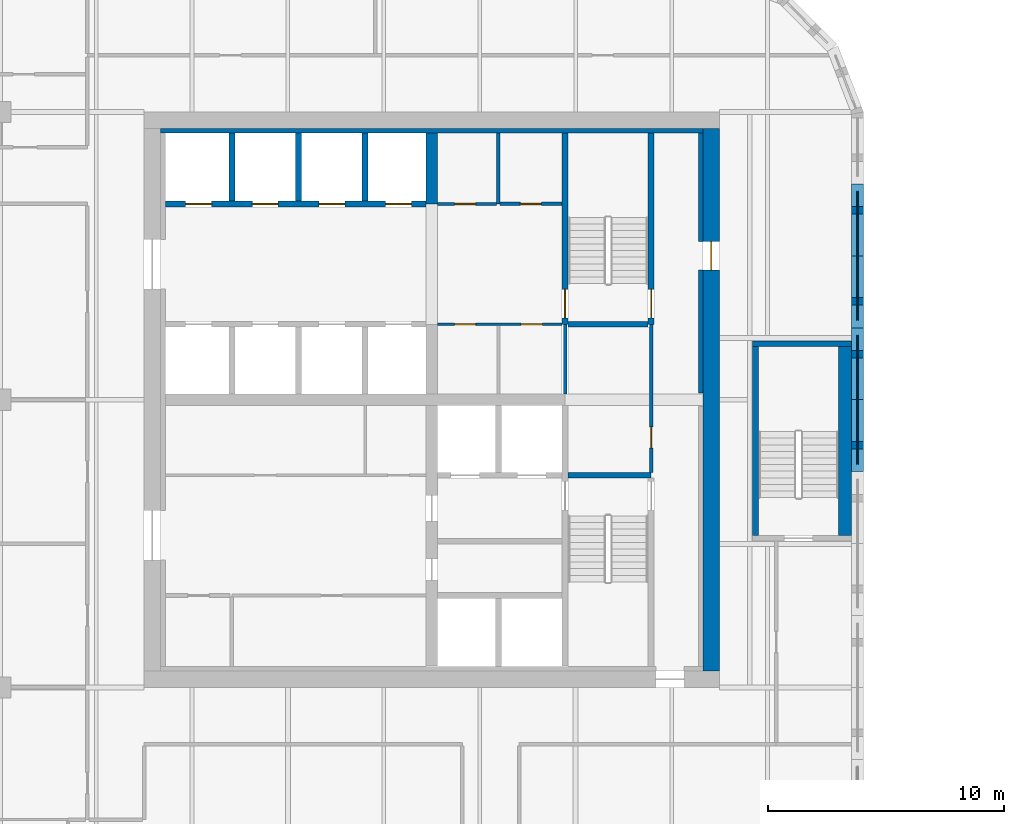
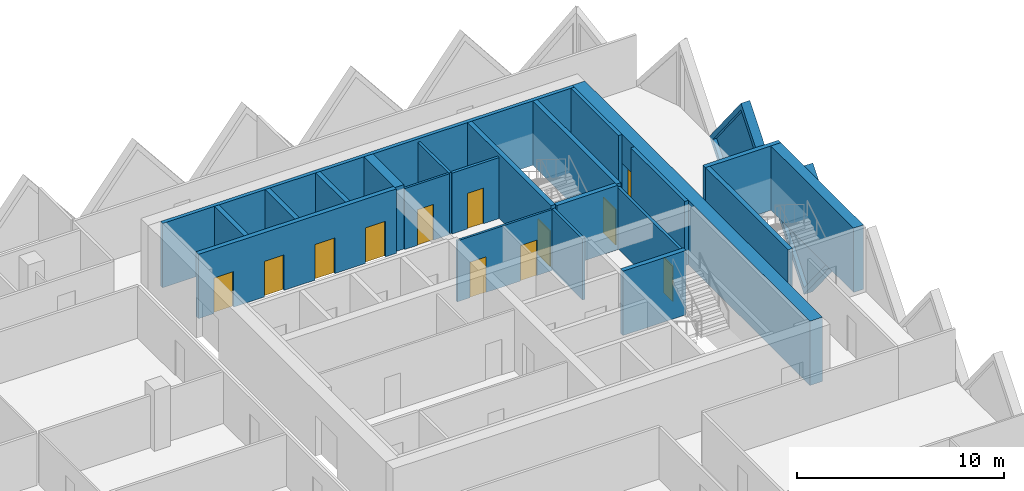
# One storey, part 9 of 13: 24 walls, 12 doors, 2 plates, 14 openings.
"""IFC4 building model written with IfcOpenShell, lengths in metres."""

from ifc_helpers import new_model, si_unit, direction, frame, frame_2d, origin, place, context, subcontext, project, spatial, polyline, rectangle, outline, extrude, faceted_brep, source, transform, mapped, material, layer, layer_set, type_object, element, fill, save


model = new_model("IFC4")

# Units and contexts
model_context = context("Model", 3, precision=1e-05, world=origin(), true_north=direction((0.0, 1.0)))
body_context = subcontext(model_context, "Body", "Model", "MODEL_VIEW")
ifc_project = project(units=[si_unit("LENGTHUNIT", "METRE"), si_unit("AREAUNIT", "SQUARE_METRE"), si_unit("VOLUMEUNIT", "CUBIC_METRE"), si_unit("PLANEANGLEUNIT", "RADIAN"), si_unit("MASSUNIT", "GRAM", prefix="KILO")], contexts=[model_context])

# Site, building, storey
site_placement = place(None, origin())
site = spatial("IfcSite", under=ifc_project, at=site_placement, CompositionType="ELEMENT")
building_placement = place(site_placement, origin())
building = spatial("IfcBuilding", under=site, at=building_placement, Name="Tessera Gate Towers", CompositionType="ELEMENT")
storey_placement = place(building_placement, frame((0.0, 0.0, 116.39990234375)))
storey = spatial("IfcBuildingStorey", under=building, at=storey_placement, Name="L28", CompositionType="ELEMENT", Elevation=116.39990234375)

# Wall, openings, doors
ifc_material_1 = material(Name="Concrete C40/50", Category="concrete")
ifc_layer_1 = layer(ifc_material_1, 0.25)
ifc_layer_set_1 = layer_set([ifc_layer_1], Name="CORE ENCLOSURE WALL 250")
wall_type_1 = type_object("IfcWallType", Name="CORE ENCLOSURE WALL 250", PredefinedType="SOLIDWALL", material=ifc_layer_set_1)
wall_1_placement = place(storey_placement, frame((42.449951171875, 44.89990234375, 0.0), z_axis=(0.0, 0.0, 1.0), x_axis=(-1.0, 0.0, 0.0)))
wall_1 = element("IfcWall", 1, at=wall_1_placement, inside=storey, type_object=wall_type_1, Name="L28 shaft and stair enclosure wall", PredefinedType="SOLIDWALL", context=body_context, shape_type="SweptSolid", body=[
    extrude(rectangle(XDim=11.050048828125, YDim=0.25, at=frame_2d((5.52490234375, 0.0))), origin(), (0.0, 0.0, 1.0), 3.800048828125),
])
shared_shape_1 = source(origin(), body_context, "Body", "SweptSolid", [
    extrude(rectangle(XDim=1.10009765625, YDim=2.10009765625, at=frame_2d((0.550048828125, 1.050048828125))), frame((0.0, 0.135009765625, 0.0), z_axis=(0.0, -1.0, 0.0), x_axis=(1.0, 0.0, 0.0)), (0.0, 0.0, 1.0), 0.27001953125),
])
opening_1_placement = place(wall_1_placement, frame((9.08740234375, 0.0, 0.0)))
opening_1 = element("IfcOpeningElement", 2, at=opening_1_placement, cuts=wall_1, Name="Opening LD-HR5", PredefinedType="OPENING", context=body_context, shape_type="MappedRepresentation", body=[
    mapped(shared_shape_1, transform((0.0, 0.0, 0.0), scale=1.0)),
])
opening_2_placement = place(wall_1_placement, frame((6.262451171875, 0.0, 0.0)))
opening_2 = element("IfcOpeningElement", 3, at=opening_2_placement, cuts=wall_1, Name="Opening LD-HR6", PredefinedType="OPENING", context=body_context, shape_type="MappedRepresentation", body=[
    mapped(shared_shape_1, transform((0.0, 0.0, 0.0), scale=1.0)),
])
opening_3_placement = place(wall_1_placement, frame((3.4375, 0.0, 0.0)))
opening_3 = element("IfcOpeningElement", 4, at=opening_3_placement, cuts=wall_1, Name="Opening LD-HR7", PredefinedType="OPENING", context=body_context, shape_type="MappedRepresentation", body=[
    mapped(shared_shape_1, transform((0.0, 0.0, 0.0), scale=1.0)),
])
opening_4_placement = place(wall_1_placement, frame((0.612548828125, 0.0, 0.0)))
opening_4 = element("IfcOpeningElement", 5, at=opening_4_placement, cuts=wall_1, Name="Opening LD-HR8", PredefinedType="OPENING", context=body_context, shape_type="MappedRepresentation", body=[
    mapped(shared_shape_1, transform((0.0, 0.0, 0.0), scale=1.0)),
])
ifc_material_2 = material(Name="Stainless steel", Category="steel")
door_type_1 = type_object("IfcDoorType", Name="CORE DOOR LD 1100x2100", OperationType="DOUBLE_DOOR_SLIDING", PredefinedType="DOOR", material=ifc_material_2)
shared_shape_2 = source(origin(), body_context, "Body", "SweptSolid", [
    extrude(rectangle(XDim=1.10009765625, YDim=2.10009765625, at=frame_2d((0.550048828125, 1.050048828125))), frame((0.0, 0.02490234375, 0.0), z_axis=(0.0, -1.0, 0.0), x_axis=(1.0, 0.0, 0.0)), (0.0, 0.0, 1.0), 0.050048828125),
])
door_1_placement = place(opening_1_placement, origin())
door_1 = element("IfcDoor", 6, at=door_1_placement, inside=storey, type_object=door_type_1, Name="Landing door HR5 L28", OperationType="DOUBLE_DOOR_SLIDING", OverallHeight=2.10009765625, OverallWidth=1.10009765625, PredefinedType="DOOR", context=body_context, shape_type="MappedRepresentation", body=[
    mapped(shared_shape_2, transform((0.0, 0.0, 0.0), scale=1.0)),
])
fill(opening_1, door_1)
door_2_placement = place(opening_2_placement, origin())
door_2 = element("IfcDoor", 7, at=door_2_placement, inside=storey, type_object=door_type_1, Name="Landing door HR6 L28", OperationType="DOUBLE_DOOR_SLIDING", OverallHeight=2.10009765625, OverallWidth=1.10009765625, PredefinedType="DOOR", context=body_context, shape_type="MappedRepresentation", body=[
    mapped(shared_shape_2, transform((0.0, 0.0, 0.0), scale=1.0)),
])
fill(opening_2, door_2)
door_3_placement = place(opening_3_placement, origin())
door_3 = element("IfcDoor", 8, at=door_3_placement, inside=storey, type_object=door_type_1, Name="Landing door HR7 L28", OperationType="DOUBLE_DOOR_SLIDING", OverallHeight=2.10009765625, OverallWidth=1.10009765625, PredefinedType="DOOR", context=body_context, shape_type="MappedRepresentation", body=[
    mapped(shared_shape_2, transform((0.0, 0.0, 0.0), scale=1.0)),
])
fill(opening_3, door_3)
door_4_placement = place(opening_4_placement, origin())
door_4 = element("IfcDoor", 9, at=door_4_placement, inside=storey, type_object=door_type_1, Name="Landing door HR8 L28", OperationType="DOUBLE_DOOR_SLIDING", OverallHeight=2.10009765625, OverallWidth=1.10009765625, PredefinedType="DOOR", context=body_context, shape_type="MappedRepresentation", body=[
    mapped(shared_shape_2, transform((0.0, 0.0, 0.0), scale=1.0)),
])
fill(opening_4, door_4)

# Wall
wall_2_placement = place(storey_placement, frame((48.47509765625, 33.39990234375, 0.0), z_axis=(0.0, 0.0, 1.0), x_axis=(1.0, 0.0, 0.0)))
element("IfcWall", 10, at=wall_2_placement, inside=storey, type_object=wall_type_1, Name="L28 shaft and stair enclosure wall", PredefinedType="SOLIDWALL", context=body_context, shape_type="SweptSolid", body=[
    extrude(rectangle(XDim=3.52490234375, YDim=0.25, at=frame_2d((1.762451171875, 0.0))), origin(), (0.0, 0.0, 1.0), 3.800048828125),
])

# Wall, opening, door
wall_3_placement = place(storey_placement, frame((48.35009765625, 47.89990234375, 0.0), z_axis=(0.0, 0.0, 1.0), x_axis=(0.0, -1.0, 0.0)))
wall_3 = element("IfcWall", 11, at=wall_3_placement, inside=storey, type_object=wall_type_1, Name="L28 shaft and stair enclosure wall", PredefinedType="SOLIDWALL", context=body_context, shape_type="SweptSolid", body=[
    extrude(rectangle(XDim=8.099853515625, YDim=0.25, at=frame_2d((4.0498046875, 0.0))), origin(), (0.0, 0.0, 1.0), 3.800048828125),
])
shared_shape_3 = source(origin(), body_context, "Body", "SweptSolid", [
    extrude(rectangle(XDim=1.199951171875, YDim=2.10009765625, at=frame_2d((0.60009765625, 1.050048828125))), frame((0.0, 0.135009765625, 0.0), z_axis=(0.0, -1.0, 0.0), x_axis=(1.0, 0.0, 0.0)), (0.0, 0.0, 1.0), 0.27001953125),
])
opening_5_placement = place(wall_3_placement, frame((6.625, 0.0, 0.0)))
opening_5 = element("IfcOpeningElement", 12, at=opening_5_placement, cuts=wall_3, Name="Opening SD-ST2-1", PredefinedType="OPENING", context=body_context, shape_type="MappedRepresentation", body=[
    mapped(shared_shape_3, transform((0.0, 0.0, 0.0), scale=1.0)),
])
ifc_material_3 = material(Name="Hollow steel fire door", Category="steel")
door_type_2 = type_object("IfcDoorType", Name="CORE DOOR SD 1200x2100", OperationType="NOTDEFINED", PredefinedType="DOOR", material=ifc_material_3)
shared_shape_4 = source(origin(), body_context, "Body", "SweptSolid", [
    extrude(rectangle(XDim=1.199951171875, YDim=2.10009765625, at=frame_2d((0.60009765625, 1.050048828125))), frame((0.0, 0.02490234375, 0.0), z_axis=(0.0, -1.0, 0.0), x_axis=(1.0, 0.0, 0.0)), (0.0, 0.0, 1.0), 0.050048828125),
])
door_5_placement = place(opening_5_placement, origin())
door_5 = element("IfcDoor", 13, at=door_5_placement, inside=storey, type_object=door_type_2, Name="Stair door", OperationType="SINGLE_SWING_RIGHT", OverallHeight=2.10009765625, OverallWidth=1.199951171875, PredefinedType="DOOR", context=body_context, shape_type="MappedRepresentation", body=[
    mapped(shared_shape_4, transform((0.0, 0.0, 0.0), scale=1.0)),
])
fill(opening_5, door_5)

wall_4_placement = place(storey_placement, frame((52.0, 39.800048828125, 0.0), z_axis=(0.0, 0.0, 1.0), x_axis=(0.0, 1.0, 0.0)))
wall_4 = element("IfcWall", 14, at=wall_4_placement, inside=storey, type_object=wall_type_1, Name="L28 shaft and stair enclosure wall", PredefinedType="SOLIDWALL", context=body_context, shape_type="SweptSolid", body=[
    extrude(rectangle(XDim=8.099853515625, YDim=0.25, at=frame_2d((4.0498046875, 0.0))), origin(), (0.0, 0.0, 1.0), 3.800048828125),
])
opening_6_placement = place(wall_4_placement, frame((0.27490234375, 0.0, 0.0)))
opening_6 = element("IfcOpeningElement", 15, at=opening_6_placement, cuts=wall_4, Name="Opening SD-ST2-2", PredefinedType="OPENING", context=body_context, shape_type="MappedRepresentation", body=[
    mapped(shared_shape_3, transform((0.0, 0.0, 0.0), scale=1.0)),
])
door_6_placement = place(opening_6_placement, origin())
door_6 = element("IfcDoor", 16, at=door_6_placement, inside=storey, type_object=door_type_2, Name="Stair door", OperationType="SINGLE_SWING_LEFT", OverallHeight=2.10009765625, OverallWidth=1.199951171875, PredefinedType="DOOR", context=body_context, shape_type="MappedRepresentation", body=[
    mapped(shared_shape_4, transform((0.0, 0.0, 0.0), scale=1.0)),
])
fill(opening_6, door_6)

# Walls
wall_5_placement = place(storey_placement, frame((48.47509765625, 39.800048828125, 0.0), z_axis=(0.0, 0.0, 1.0), x_axis=(1.0, 0.0, 0.0)))
element("IfcWall", 17, at=wall_5_placement, inside=storey, type_object=wall_type_1, Name="L28 shaft and stair enclosure wall", PredefinedType="SOLIDWALL", context=body_context, shape_type="SweptSolid", body=[
    extrude(rectangle(XDim=3.39990234375, YDim=0.25, at=frame_2d((1.699951171875, 0.0))), origin(), (0.0, 0.0, 1.0), 3.800048828125),
])
for number, where, z_axis, x_axis, name in (
    (18, (34.22509765625, 45.02490234375, 0.0), (0.0, 0.0, 1.0), (0.0, 1.0, 0.0), "L28 shaft and stair enclosure wall"),
    (19, (37.050048828125, 45.02490234375, 0.0), (0.0, 0.0, 1.0), (0.0, 1.0, 0.0), "L28 shaft and stair enclosure wall"),
    (20, (39.875, 45.02490234375, 0.0), (0.0, 0.0, 1.0), (0.0, 1.0, 0.0), "L28 shaft and stair enclosure wall"),
):
    element("IfcWall", number, at=place(storey_placement, frame(where, z_axis=z_axis, x_axis=x_axis)), inside=storey, type_object=wall_type_1, Name=name, PredefinedType="SOLIDWALL", context=body_context, shape_type="SweptSolid", body=[
        extrude(rectangle(XDim=2.875, YDim=0.25, at=frame_2d((1.4375, 0.0))), origin(), (0.0, 0.0, 1.0), 3.800048828125),
    ])
wall_6_placement = place(storey_placement, frame((56.425048828125, 30.85009765625, 0.0), z_axis=(0.0, 0.0, 1.0), x_axis=(0.0, 1.0, 0.0)))
element("IfcWall", 21, at=wall_6_placement, inside=storey, type_object=wall_type_1, Name="L28 ST5 enclosure wall", PredefinedType="SOLIDWALL", context=body_context, shape_type="SweptSolid", body=[
    extrude(rectangle(XDim=8.0, YDim=0.25, at=frame_2d((4.0, 0.0))), origin(), (0.0, 0.0, 1.0), 3.800048828125),
])
wall_7_placement = place(storey_placement, frame((56.300048828125, 38.97509765625, 0.0), z_axis=(0.0, 0.0, 1.0), x_axis=(1.0, 0.0, 0.0)))
element("IfcWall", 22, at=wall_7_placement, inside=storey, type_object=wall_type_1, Name="L28 ST5 enclosure wall", PredefinedType="SOLIDWALL", context=body_context, shape_type="SweptSolid", body=[
    extrude(rectangle(XDim=4.199951171875, YDim=0.25, at=frame_2d((2.10009765625, 0.0))), origin(), (0.0, 0.0, 1.0), 3.800048828125),
])
ifc_material_4 = material(Name="Concrete C40/50", Category="concrete")
ifc_layer_2 = layer(ifc_material_4, 0.550048828125)
ifc_layer_set_2 = layer_set([ifc_layer_2], Name="CORE ENCLOSURE WALL 550")
wall_type_2 = type_object("IfcWallType", Name="CORE ENCLOSURE WALL 550", PredefinedType="SOLIDWALL", material=ifc_layer_set_2)
wall_8_placement = place(storey_placement, frame((60.22509765625, 38.85009765625, 0.0), z_axis=(0.0, 0.0, 1.0), x_axis=(0.0, -1.0, 0.0)))
element("IfcWall", 23, at=wall_8_placement, inside=storey, type_object=wall_type_2, Name="L28 ST5 enclosure wall", PredefinedType="SOLIDWALL", context=body_context, shape_type="SweptSolid", body=[
    extrude(rectangle(XDim=8.0, YDim=0.550048828125, at=frame_2d((4.0, 0.0))), origin(), (0.0, 0.0, 1.0), 3.800048828125),
])

# Wall, openings, doors
ifc_material_5 = material(Name="Gypsum board on steel studs", Category="steel")
ifc_layer_3 = layer(ifc_material_5, 0.1201171875)
ifc_layer_set_3 = layer_set([ifc_layer_3], Name="CORE PARTITION 120")
wall_type_3 = type_object("IfcWallType", Name="CORE PARTITION 120", PredefinedType="PARTITIONING", material=ifc_layer_set_3)
wall_9_placement = place(storey_placement, frame((48.22509765625, 39.800048828125, 0.0), z_axis=(0.0, 0.0, 1.0), x_axis=(-1.0, 0.0, 0.0)))
wall_9 = element("IfcWall", 24, at=wall_9_placement, inside=storey, type_object=wall_type_3, Name="L28 core partition", PredefinedType="PARTITIONING", context=body_context, shape_type="SweptSolid", body=[
    extrude(rectangle(XDim=5.275146484375, YDim=0.1201171875, at=frame_2d((2.6376953125, 0.0))), origin(), (0.0, 0.0, 1.0), 3.60009765625),
])
shared_shape_5 = source(origin(), body_context, "Body", "SweptSolid", [
    extrude(rectangle(XDim=0.89990234375, YDim=2.10009765625, at=frame_2d((0.449951171875, 1.050048828125))), frame((0.0, 0.070068359375, 0.0), z_axis=(0.0, -1.0, 0.0), x_axis=(1.0, 0.0, 0.0)), (0.0, 0.0, 1.0), 0.14013671875),
])
opening_7_placement = place(wall_9_placement, frame((3.66259765625, 0.0, 0.0)))
opening_7 = element("IfcOpeningElement", 25, at=opening_7_placement, cuts=wall_9, Name="Opening RD-T1-20-11", PredefinedType="OPENING", context=body_context, shape_type="MappedRepresentation", body=[
    mapped(shared_shape_5, transform((0.0, 0.0, 0.0), scale=1.0)),
])
opening_8_placement = place(wall_9_placement, frame((0.83740234375, 0.0, 0.0)))
opening_8 = element("IfcOpeningElement", 26, at=opening_8_placement, cuts=wall_9, Name="Opening RD-T1-20-12", PredefinedType="OPENING", context=body_context, shape_type="MappedRepresentation", body=[
    mapped(shared_shape_5, transform((0.0, 0.0, 0.0), scale=1.0)),
])
ifc_material_6 = material(Name="Hollow steel fire door", Category="steel")
door_type_3 = type_object("IfcDoorType", Name="CORE DOOR RD 900x2100", OperationType="NOTDEFINED", PredefinedType="DOOR", material=ifc_material_6)
shared_shape_6 = source(origin(), body_context, "Body", "SweptSolid", [
    extrude(rectangle(XDim=0.89990234375, YDim=2.10009765625, at=frame_2d((0.449951171875, 1.050048828125))), frame((0.0, 0.02490234375, 0.0), z_axis=(0.0, -1.0, 0.0), x_axis=(1.0, 0.0, 0.0)), (0.0, 0.0, 1.0), 0.050048828125),
])
door_7_placement = place(opening_7_placement, origin())
door_7 = element("IfcDoor", 27, at=door_7_placement, inside=storey, type_object=door_type_3, Name="Core room door", OperationType="SINGLE_SWING_RIGHT", OverallHeight=2.10009765625, OverallWidth=0.89990234375, PredefinedType="DOOR", context=body_context, shape_type="MappedRepresentation", body=[
    mapped(shared_shape_6, transform((0.0, 0.0, 0.0), scale=1.0)),
])
fill(opening_7, door_7)
door_8_placement = place(opening_8_placement, origin())
door_8 = element("IfcDoor", 28, at=door_8_placement, inside=storey, type_object=door_type_3, Name="Core room door", OperationType="SINGLE_SWING_LEFT", OverallHeight=2.10009765625, OverallWidth=0.89990234375, PredefinedType="DOOR", context=body_context, shape_type="MappedRepresentation", body=[
    mapped(shared_shape_6, transform((0.0, 0.0, 0.0), scale=1.0)),
])
fill(opening_8, door_8)

# Wall, opening, door
wall_10_placement = place(storey_placement, frame((42.949951171875, 44.89990234375, 0.0), z_axis=(0.0, 0.0, 1.0), x_axis=(1.0, 0.0, 0.0)))
wall_10 = element("IfcWall", 29, at=wall_10_placement, inside=storey, type_object=wall_type_3, Name="L28 core partition", PredefinedType="PARTITIONING", context=body_context, shape_type="SweptSolid", body=[
    extrude(rectangle(XDim=2.5, YDim=0.1201171875, at=frame_2d((1.25, 0.0))), origin(), (0.0, 0.0, 1.0), 3.60009765625),
])
opening_9_placement = place(wall_10_placement, frame((0.71240234375, 0.0, 0.0)))
opening_9 = element("IfcOpeningElement", 30, at=opening_9_placement, cuts=wall_10, Name="Opening RD-T1-20-13", PredefinedType="OPENING", context=body_context, shape_type="MappedRepresentation", body=[
    mapped(shared_shape_5, transform((0.0, 0.0, 0.0), scale=1.0)),
])
door_9_placement = place(opening_9_placement, origin())
door_9 = element("IfcDoor", 31, at=door_9_placement, inside=storey, type_object=door_type_3, Name="Core room door", OperationType="SINGLE_SWING_LEFT", OverallHeight=2.10009765625, OverallWidth=0.89990234375, PredefinedType="DOOR", context=body_context, shape_type="MappedRepresentation", body=[
    mapped(shared_shape_6, transform((0.0, 0.0, 0.0), scale=1.0)),
])
fill(opening_9, door_9)

ifc_material_7 = material(Name="Concrete C60/75", Category="concrete")
ifc_layer_4 = layer(ifc_material_7, 0.699951171875)
ifc_layer_set_4 = layer_set([ifc_layer_4], Name="CORE SHEAR WALL 700 C60/75")
wall_type_4 = type_object("IfcWallType", Name="CORE SHEAR WALL 700 C60/75", PredefinedType="SHEAR", material=ifc_layer_set_4)
wall_11_placement = place(storey_placement, frame((54.550048828125, 48.10009765625, 0.0), z_axis=(0.0, 0.0, 1.0), x_axis=(0.0, -1.0, 0.0)))
wall_11 = element("IfcWall", 32, at=wall_11_placement, inside=storey, type_object=wall_type_4, Name="Core wall E L28", PredefinedType="SHEAR", context=body_context, shape_type="SweptSolid", body=[
    extrude(rectangle(XDim=23.0, YDim=0.699951171875, at=frame_2d((11.5, 0.0))), origin(), (0.0, 0.0, 1.0), 3.800048828125),
])
shared_shape_7 = source(origin(), body_context, "Body", "SweptSolid", [
    extrude(rectangle(XDim=1.199951171875, YDim=2.10009765625, at=frame_2d((0.60009765625, 1.050048828125))), frame((0.0, 0.35986328125, 0.0), z_axis=(0.0, -1.0, 0.0), x_axis=(1.0, 0.0, 0.0)), (0.0, 0.0, 1.0), 0.719970703125),
])
opening_10_placement = place(wall_11_placement, frame((4.800048828125, 0.0, 0.0)))
opening_10 = element("IfcOpeningElement", 33, at=opening_10_placement, cuts=wall_11, Name="Opening ED-T1-20-04", PredefinedType="OPENING", context=body_context, shape_type="MappedRepresentation", body=[
    mapped(shared_shape_7, transform((0.0, 0.0, 0.0), scale=1.0)),
])
ifc_material_8 = material(Name="Hollow steel fire door", Category="steel")
door_type_4 = type_object("IfcDoorType", Name="CORE DOOR ED 1200x2100", OperationType="NOTDEFINED", PredefinedType="DOOR", material=ifc_material_8)
door_10_placement = place(opening_10_placement, origin())
door_10 = element("IfcDoor", 34, at=door_10_placement, inside=storey, type_object=door_type_4, Name="Core exit door", OperationType="SINGLE_SWING_LEFT", OverallHeight=2.10009765625, OverallWidth=1.199951171875, PredefinedType="DOOR", context=body_context, shape_type="MappedRepresentation", body=[
    mapped(shared_shape_4, transform((0.0, 0.0, 0.0), scale=1.0)),
])
fill(opening_10, door_10)

# Walls
ifc_material_9 = material(Name="Concrete C60/75", Category="concrete")
ifc_layer_5 = layer(ifc_material_9, 0.5)
ifc_layer_set_5 = layer_set([ifc_layer_5], Name="CORE SPINE WALL 500 C60/75")
wall_type_5 = type_object("IfcWallType", Name="CORE SPINE WALL 500 C60/75", PredefinedType="SHEAR", material=ifc_layer_set_5)
wall_12_placement = place(storey_placement, frame((42.699951171875, 44.89990234375, 0.0), z_axis=(0.0, 0.0, 1.0), x_axis=(0.0, 1.0, 0.0)))
element("IfcWall", 35, at=wall_12_placement, inside=storey, type_object=wall_type_5, Name="Core wall spine L28", PredefinedType="SHEAR", context=body_context, shape_type="SweptSolid", body=[
    extrude(rectangle(XDim=3.0, YDim=0.5, at=frame_2d((1.5, 0.0))), origin(), (0.0, 0.0, 1.0), 3.800048828125),
])
ifc_material_10 = material(Name="Concrete C60/75", Category="concrete")
ifc_layer_6 = layer(ifc_material_10, 0.199951171875)
ifc_layer_set_6 = layer_set([ifc_layer_6], Name="CORE WALL THICKENING 200")
wall_type_6 = type_object("IfcWallType", Name="CORE WALL THICKENING 200", PredefinedType="SOLIDWALL", material=ifc_layer_set_6)
wall_13_placement = place(storey_placement, frame((31.199951171875, 48.0, 0.0), z_axis=(0.0, 0.0, 1.0), x_axis=(1.0, 0.0, 0.0)))
element("IfcWall", 36, at=wall_13_placement, inside=storey, type_object=wall_type_6, Name="Core wall thickening N L28", PredefinedType="SOLIDWALL", context=body_context, shape_type="SweptSolid", body=[
    extrude(rectangle(XDim=23.0, YDim=0.199951171875, at=frame_2d((11.5, 0.0))), origin(), (0.0, 0.0, 1.0), 3.800048828125),
])
wall_14_placement = place(storey_placement, frame((54.10009765625, 36.8798828125, 0.0), z_axis=(0.0, 0.0, 1.0), x_axis=(0.0, 1.0, 0.0)))
element("IfcWall", 37, at=wall_14_placement, inside=storey, type_object=wall_type_6, Name="Core wall thickening E L28", PredefinedType="SOLIDWALL", context=body_context, shape_type="SweptSolid", body=[
    extrude(rectangle(XDim=5.22021484375, YDim=0.199951171875, at=frame_2d((2.610107421875, 0.0))), origin(), (0.0, 0.0, 1.0), 3.800048828125),
])
wall_15_placement = place(storey_placement, frame((54.10009765625, 43.300048828125, 0.0), z_axis=(0.0, 0.0, 1.0), x_axis=(0.0, 1.0, 0.0)))
element("IfcWall", 38, at=wall_15_placement, inside=storey, type_object=wall_type_6, Name="Core wall thickening E L28", PredefinedType="SOLIDWALL", context=body_context, shape_type="SweptSolid", body=[
    extrude(rectangle(XDim=4.599853515625, YDim=0.199951171875, at=frame_2d((2.2998046875, 0.0))), origin(), (0.0, 0.0, 1.0), 3.800048828125),
])

# Wall, opening, door
ifc_material_11 = material(Name="Gypsum board on steel studs", Category="steel")
ifc_layer_7 = layer(ifc_material_11, 0.14990234375)
ifc_layer_set_7 = layer_set([ifc_layer_7], Name="SERVICE ROOM WALL 150")
wall_type_7 = type_object("IfcWallType", Name="SERVICE ROOM WALL 150", PredefinedType="PARTITIONING", material=ifc_layer_set_7)
wall_16_placement = place(storey_placement, frame((52.0, 33.52490234375, 0.0), z_axis=(0.0, 0.0, 1.0), x_axis=(0.0, 1.0, 0.0)))
wall_16 = element("IfcWall", 39, at=wall_16_placement, inside=storey, type_object=wall_type_7, Name="L28 service room wall", PredefinedType="PARTITIONING", context=body_context, shape_type="SweptSolid", body=[
    extrude(rectangle(XDim=6.275146484375, YDim=0.14990234375, at=frame_2d((3.1376953125, 0.0))), origin(), (0.0, 0.0, 1.0), 3.60009765625),
])
shared_shape_8 = source(origin(), body_context, "Body", "SweptSolid", [
    extrude(rectangle(XDim=0.89990234375, YDim=2.10009765625, at=frame_2d((0.449951171875, 1.050048828125))), frame((0.0, 0.0849609375, 0.0), z_axis=(0.0, -1.0, 0.0), x_axis=(1.0, 0.0, 0.0)), (0.0, 0.0, 1.0), 0.169921875),
])
opening_11_placement = place(wall_16_placement, frame((1.02490234375, 0.0, 0.0)))
opening_11 = element("IfcOpeningElement", 40, at=opening_11_placement, cuts=wall_16, Name="Opening RD-T1-20-10", PredefinedType="OPENING", context=body_context, shape_type="MappedRepresentation", body=[
    mapped(shared_shape_8, transform((0.0, 0.0, 0.0), scale=1.0)),
])
door_11_placement = place(opening_11_placement, origin())
door_11 = element("IfcDoor", 41, at=door_11_placement, inside=storey, type_object=door_type_3, Name="Core room door", OperationType="SINGLE_SWING_LEFT", OverallHeight=2.10009765625, OverallWidth=0.89990234375, PredefinedType="DOOR", context=body_context, shape_type="MappedRepresentation", body=[
    mapped(shared_shape_6, transform((0.0, 0.0, 0.0), scale=1.0)),
])
fill(opening_11, door_11)

# Walls
wall_17_placement = place(storey_placement, frame((48.35009765625, 36.85009765625, 0.0), z_axis=(0.0, 0.0, 1.0), x_axis=(0.0, 1.0, 0.0)))
element("IfcWall", 42, at=wall_17_placement, inside=storey, type_object=wall_type_7, Name="L28 service room wall", PredefinedType="PARTITIONING", context=body_context, shape_type="SweptSolid", body=[
    extrude(rectangle(XDim=2.949951171875, YDim=0.14990234375, at=frame_2d((1.47509765625, 0.0))), origin(), (0.0, 0.0, 1.0), 3.60009765625),
])
wall_18_placement = place(storey_placement, frame((45.52490234375, 44.89990234375, 0.0), z_axis=(0.0, 0.0, 1.0), x_axis=(0.0, 1.0, 0.0)))
element("IfcWall", 43, at=wall_18_placement, inside=storey, type_object=wall_type_7, Name="L28 service room wall", PredefinedType="PARTITIONING", context=body_context, shape_type="SweptSolid", body=[
    extrude(rectangle(XDim=3.0, YDim=0.14990234375, at=frame_2d((1.5, 0.0))), origin(), (0.0, 0.0, 1.0), 3.60009765625),
])

# Wall, opening, door
wall_19_placement = place(storey_placement, frame((45.60009765625, 44.89990234375, 0.0), z_axis=(0.0, 0.0, 1.0), x_axis=(1.0, 0.0, 0.0)))
wall_19 = element("IfcWall", 44, at=wall_19_placement, inside=storey, type_object=wall_type_7, Name="L28 service room wall", PredefinedType="PARTITIONING", context=body_context, shape_type="SweptSolid", body=[
    extrude(rectangle(XDim=2.625, YDim=0.14990234375, at=frame_2d((1.3125, 0.0))), origin(), (0.0, 0.0, 1.0), 3.60009765625),
])
opening_12_placement = place(wall_19_placement, frame((0.85009765625, 0.0, 0.0)))
opening_12 = element("IfcOpeningElement", 45, at=opening_12_placement, cuts=wall_19, Name="Opening RD-T1-20-14", PredefinedType="OPENING", context=body_context, shape_type="MappedRepresentation", body=[
    mapped(shared_shape_8, transform((0.0, 0.0, 0.0), scale=1.0)),
])
door_12_placement = place(opening_12_placement, origin())
door_12 = element("IfcDoor", 46, at=door_12_placement, inside=storey, type_object=door_type_3, Name="Core room door", OperationType="SINGLE_SWING_LEFT", OverallHeight=2.10009765625, OverallWidth=0.89990234375, PredefinedType="DOOR", context=body_context, shape_type="MappedRepresentation", body=[
    mapped(shared_shape_6, transform((0.0, 0.0, 0.0), scale=1.0)),
])
fill(opening_12, door_12)

# Wall, opening, plate
ifc_material_12 = material(Name="Precast concrete C60/75 white", Category="concrete")
ifc_layer_8 = layer(ifc_material_12, 0.5)
ifc_layer_set_8 = layer_set([ifc_layer_8], Name="TS1 tessera")
wall_type_8 = type_object("IfcWallType", Name="TS1 tessera", PredefinedType="SOLIDWALL", material=ifc_layer_set_8)
shared_shape_9 = source(origin(), body_context, "Body", "Brep", [
    faceted_brep([(3.050048828125, -0.25, 0.0), (6.099853515625, -0.25, 3.799560546875), (6.099853515625, -0.25, 3.800048828125), (3.050048828125, -0.25, 7.599853515625), (0.0, -0.25, 3.7998046875), (0.0, 0.25, 3.7998046875), (3.050048828125, 0.25, 7.599853515625), (6.099853515625, 0.25, 3.800048828125), (6.099853515625, 0.25, 3.799560546875), (3.050048828125, 0.25, 0.0)], [[[0, 1, 2, 3, 4]], [[5, 6, 7, 8, 9]], [[9, 8, 1, 0]], [[7, 6, 3, 2]], [[6, 5, 4, 3]], [[5, 9, 0, 4]], [[1, 8, 7, 2]]]),
])
wall_20_placement = place(storey_placement, frame((60.75, 33.550048828125, -3.7998046875), z_axis=(0.0, 0.0, 1.0), x_axis=(0.0, 1.0, 0.0)))
wall_20 = element("IfcWall", 47, at=wall_20_placement, inside=storey, type_object=wall_type_8, Name="Precast tessera T1 TS1-0445", PredefinedType="SOLIDWALL", context=body_context, shape_type="MappedRepresentation", body=[
    mapped(shared_shape_9, transform((0.0, 0.0, 0.0), scale=1.0)),
])
shared_shape_10 = source(origin(), body_context, "Body", "SweptSolid", [
    extrude(outline(polyline([(3.050048828125, 0.3994140625), (5.779541015625, 3.7998046875), (3.050048828125, 7.200439453125), (0.320556640625, 3.7998046875), (3.050048828125, 0.3994140625)])), frame((0.0, 0.260009765625, 0.0), z_axis=(0.0, -1.0, 0.0), x_axis=(1.0, 0.0, 0.0)), (0.0, 0.0, 1.0), 0.52001953125),
])
opening_13_placement = place(wall_20_placement, origin())
opening_13 = element("IfcOpeningElement", 48, at=opening_13_placement, cuts=wall_20, Name="Opening T1-PL2-0905", PredefinedType="OPENING", context=body_context, shape_type="MappedRepresentation", body=[
    mapped(shared_shape_10, transform((0.0, 0.0, 0.0), scale=1.0)),
])
ifc_material_13 = material(Name="Low-e laminated glass", Category="glass")
ifc_layer_9 = layer(ifc_material_13, 0.06005859375)
ifc_layer_set_9 = layer_set([ifc_layer_9], Name="PL2 rhombic pane")
plate_type = type_object("IfcPlateType", Name="PL2 rhombic pane", PredefinedType="SHEET", material=ifc_layer_set_9)
shared_shape_11 = source(origin(), body_context, "Body", "SweptSolid", [
    extrude(outline(polyline([(3.050048828125, 0.3994140625), (5.779541015625, 3.7998046875), (3.050048828125, 7.200439453125), (0.320556640625, 3.7998046875), (3.050048828125, 0.3994140625)])), frame((0.0, 0.030029296875, 0.0), z_axis=(0.0, -1.0, 0.0), x_axis=(1.0, 0.0, 0.0)), (0.0, 0.0, 1.0), 0.06005859375),
])
plate_1_placement = place(opening_13_placement, origin())
plate_1 = element("IfcPlate", 49, at=plate_1_placement, inside=storey, type_object=plate_type, Name="Glass pane T1 PL2-0905", PredefinedType="SHEET", context=body_context, shape_type="MappedRepresentation", body=[
    mapped(shared_shape_11, transform((0.0, 0.0, 0.0), scale=1.0)),
])
fill(opening_13, plate_1)

shared_shape_12 = source(origin(), body_context, "Body", "SweptSolid", [
    extrude(outline(polyline([(3.050048828125, 0.0), (6.10009765625, 3.7998046875), (3.050048828125, 7.599853515625), (0.0, 3.7998046875), (3.050048828125, 0.0)])), frame((0.0, 0.25, 0.0), z_axis=(0.0, -1.0, 0.0), x_axis=(1.0, 0.0, 0.0)), (0.0, 0.0, 1.0), 0.5),
])
wall_21_placement = place(storey_placement, frame((60.75, 39.64990234375, -3.7998046875), z_axis=(0.0, 0.0, 1.0), x_axis=(0.0, 1.0, 0.0)))
wall_21 = element("IfcWall", 50, at=wall_21_placement, inside=storey, type_object=wall_type_8, Name="Precast tessera T1 TS1-0446", PredefinedType="SOLIDWALL", context=body_context, shape_type="MappedRepresentation", body=[
    mapped(shared_shape_12, transform((0.0, 0.0, 0.0), scale=1.0)),
])
opening_14_placement = place(wall_21_placement, origin())
opening_14 = element("IfcOpeningElement", 51, at=opening_14_placement, cuts=wall_21, Name="Opening T1-PL2-0906", PredefinedType="OPENING", context=body_context, shape_type="MappedRepresentation", body=[
    mapped(shared_shape_10, transform((0.0, 0.0, 0.0), scale=1.0)),
])
plate_2_placement = place(opening_14_placement, origin())
plate_2 = element("IfcPlate", 52, at=plate_2_placement, inside=storey, type_object=plate_type, Name="Glass pane T1 PL2-0906", PredefinedType="SHEET", context=body_context, shape_type="MappedRepresentation", body=[
    mapped(shared_shape_11, transform((0.0, 0.0, 0.0), scale=1.0)),
])
fill(opening_14, plate_2)

save(model, "model.ifc")
